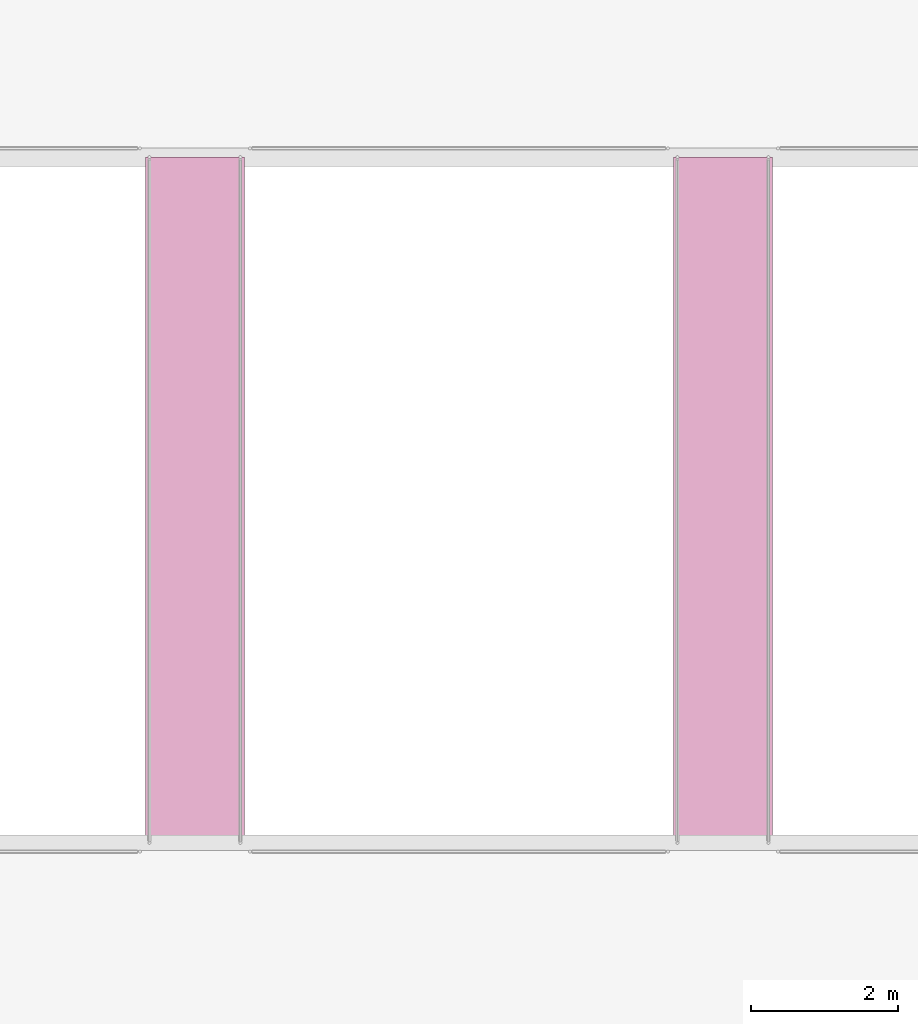
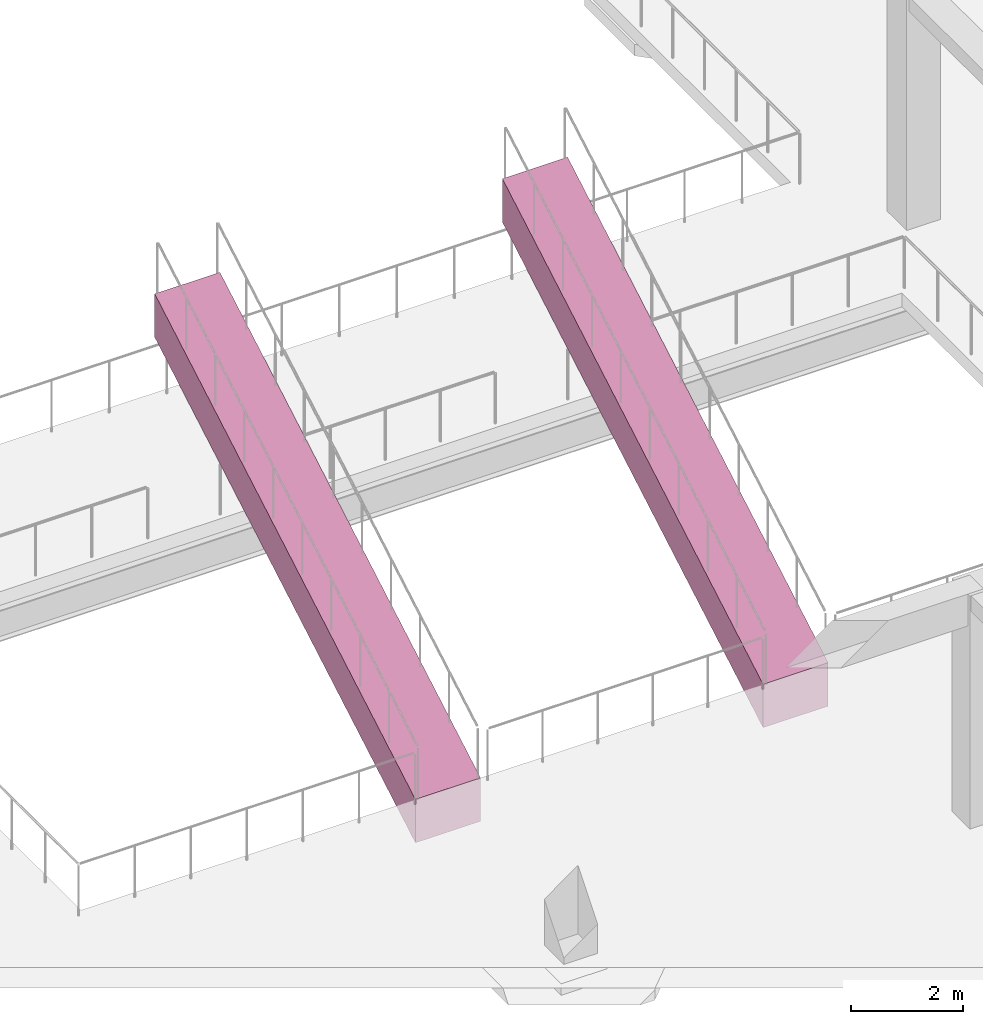
# One storey, part 65 of 65: 2 transport elements.
"""IFC4 building model written with IfcOpenShell, lengths in metres."""

from ifc_helpers import new_model, si_unit, direction, frame, origin, place, context, subcontext, project, spatial, polyline, outline, extrude, material, type_object, element, save


model = new_model("IFC4")

# Units and contexts
model_context = context("Model", 3, precision=1e-05, world=origin(), true_north=direction((0.0, 1.0)))
body_context = subcontext(model_context, "Body", "Model", "MODEL_VIEW")
ifc_project = project(units=[si_unit("LENGTHUNIT", "METRE"), si_unit("AREAUNIT", "SQUARE_METRE"), si_unit("VOLUMEUNIT", "CUBIC_METRE"), si_unit("PLANEANGLEUNIT", "RADIAN"), si_unit("MASSUNIT", "GRAM", prefix="KILO")], contexts=[model_context])

# Site, building, storey
site_placement = place(None, origin())
site = spatial("IfcSite", under=ifc_project, at=site_placement, CompositionType="ELEMENT")
building_placement = place(site_placement, origin())
building = spatial("IfcBuilding", under=site, at=building_placement, Name="Almacenes y Pasaje Nevantli", CompositionType="ELEMENT")
storey_placement = place(building_placement, frame((0.0, 0.0, 16.800048828125)))
storey = spatial("IfcBuildingStorey", under=building, at=storey_placement, Name="L04", CompositionType="ELEMENT", Elevation=16.800048828125)

# Transport elements
ifc_material = material(Name="Stainless Steel Truss Escalator Assembly", Category="steel")
transport_element_type = type_object("IfcTransportElementType", Name="TRN-ESCALATOR-1000", PredefinedType="ESCALATOR", material=ifc_material)
for number, where, z_axis, x_axis, name in (
    (1, (42.60009765625, 47.449951171875, 0.0), (0.0, 0.0, 1.0), (0.0, 1.0, 0.0), "Atrium Crisscross Escalator ESC-07 (L04 to L05)"),
    (2, (49.800048828125, 47.449951171875, 0.0), (0.0, 0.0, 1.0), (0.0, 1.0, 0.0), "Atrium Crisscross Escalator ESC-08 (L05 to L04)"),
):
    element("IfcTransportElement", number, at=place(storey_placement, frame(where, z_axis=z_axis, x_axis=x_axis)), inside=storey, type_object=transport_element_type, Name=name, PredefinedType="ESCALATOR", context=body_context, shape_type="SweptSolid", body=[
        extrude(outline(polyline([(0.0, -0.949951171875), (9.35009765625, 4.449951171875), (9.35009765625, 5.39990234375), (0.0, 0.0), (0.0, -0.949951171875)])), frame((0.0, 0.675048828125, 0.0), z_axis=(0.0, -1.0, 0.0), x_axis=(1.0, 0.0, 0.0)), (0.0, 0.0, 1.0), 1.35009765625),
    ])

save(model, "model.ifc")
